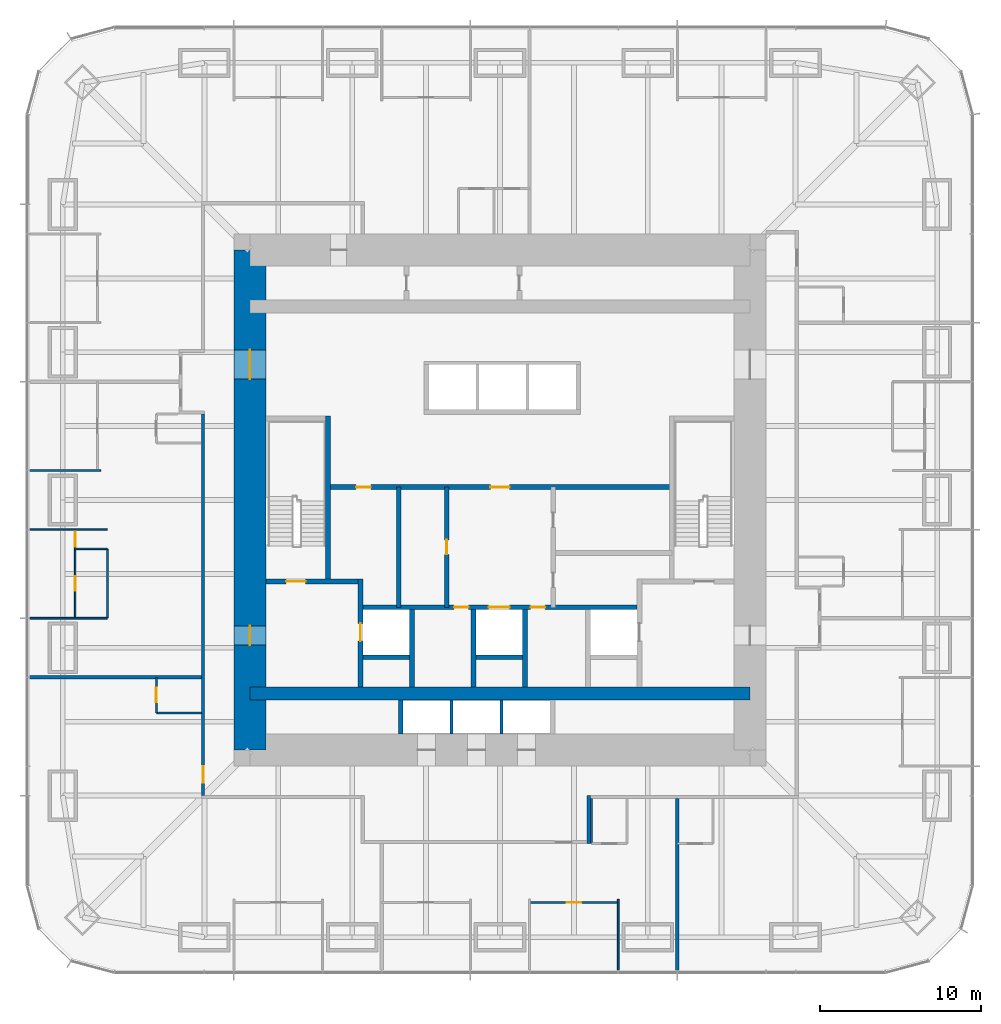
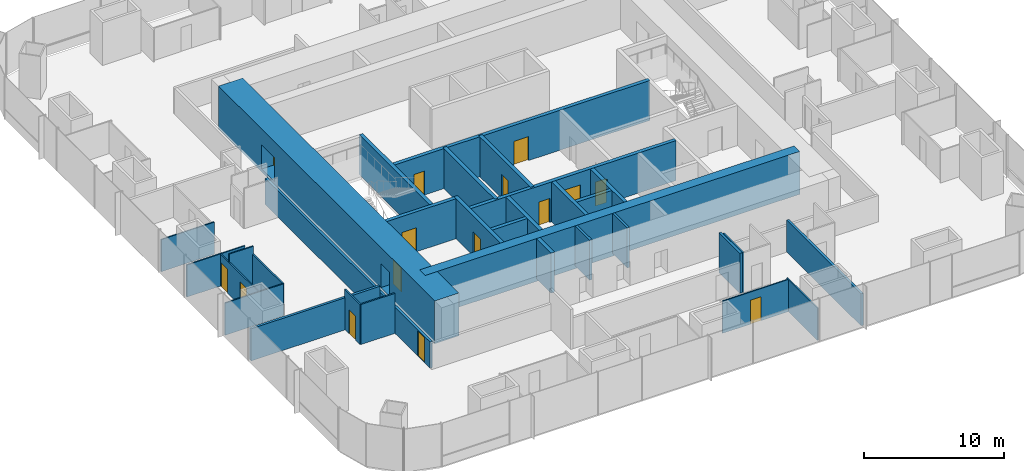
# One storey, part 9 of 13: 32 walls, 15 doors, 15 openings.
"""IFC4 building model written with IfcOpenShell, lengths in metres."""

import ifcopenshell
import ifcopenshell.guid

model = None  # the IFC model being written
_history = None  # IfcOwnerHistory: only IFC2X3 demands one
_inside = {}  # id of a spatial element -> (the spatial element, [elements in it])
_under = {}  # id of a project, library or spatial element -> (it, [spatial elements below it])
_declared = {}  # id of a project -> (the project, [libraries it declares])
_typed = {}  # id of a type object -> (the type object, [elements of that type])
_made_of = {}  # id of a material, layer set ... -> (it, [elements and type objects made of it])


def new_model(schema):
    """Start an empty IFC model of exactly this schema.

    Asked for "IFC4X3", IfcOpenShell would pick the latest addendum, in which some entities
    have other attributes; the version numbers below select the first issue.
    IFC2X3 requires an IfcOwnerHistory on every rooted entity: one is made here for all.
    """
    global model, _history
    if schema == "IFC4X3":
        model = ifcopenshell.file(schema_version=(4, 3, 0, 0))
    else:
        model = ifcopenshell.file(schema=schema)
    _inside.clear()
    _under.clear()
    _declared.clear()
    _typed.clear()
    _made_of.clear()
    _history = None
    if model.schema == "IFC2X3":
        org = make("IfcOrganization", Name="unknown")
        user = make(
            "IfcPersonAndOrganization",
            ThePerson=make("IfcPerson", FamilyName="unknown"),
            TheOrganization=org,
        )
        app = make(
            "IfcApplication",
            ApplicationDeveloper=org,
            Version="unknown",
            ApplicationFullName="unknown",
            ApplicationIdentifier="unknown",
        )
        _history = make(
            "IfcOwnerHistory",
            OwningUser=user,
            OwningApplication=app,
            ChangeAction="ADDED",
            CreationDate=0,
        )
    return model


def make(cls, **values):
    """One entity of the class cls with the attributes given. An attribute that is None is left unset."""
    return model.create_entity(
        cls, **{name: value for name, value in values.items() if value is not None}
    )


def rooted(cls, **values):
    """An entity with a GlobalId (a new one), such as an element, a storey or a relation."""
    return make(cls, GlobalId=ifcopenshell.guid.new(), OwnerHistory=_history, **values)


def si_unit(unit_type, name, prefix=None):
    """IfcSIUnit, for example si_unit("LENGTHUNIT", "METRE", prefix="MILLI")."""
    return make("IfcSIUnit", UnitType=unit_type, Prefix=prefix, Name=name)


def assignment(units):
    """IfcUnitAssignment: the units of a project."""
    return None if units is None else make("IfcUnitAssignment", Units=units)


def point(xyz):
    """IfcCartesianPoint."""
    return None if xyz is None else make("IfcCartesianPoint", Coordinates=xyz)


def direction(xyz):
    """IfcDirection."""
    return None if xyz is None else make("IfcDirection", DirectionRatios=xyz)


def frame(location, z_axis=None, x_axis=None):
    """IfcAxis2Placement3D, a coordinate frame: its origin and axes. An axis left out is left unset."""
    return make(
        "IfcAxis2Placement3D",
        Location=point(location),
        Axis=direction(z_axis),
        RefDirection=direction(x_axis),
    )


def frame_2d(location, x_axis=None):
    """IfcAxis2Placement2D, a coordinate frame in the plane: its origin and x axis."""
    return make(
        "IfcAxis2Placement2D", Location=point(location), RefDirection=direction(x_axis)
    )


def origin():
    """The frame at (0, 0, 0) with its axes left unset."""
    return frame((0.0, 0.0, 0.0))


def place(relative_to, where):
    """IfcLocalPlacement: puts the frame where relative to a parent placement (None: the world)."""
    return make(
        "IfcLocalPlacement", PlacementRelTo=relative_to, RelativePlacement=where
    )


def context(
    kind, dimensions, precision=None, world=None, true_north=None, identifier=None
):
    """IfcGeometricRepresentationContext, for example the 3D "Model" context."""
    return make(
        "IfcGeometricRepresentationContext",
        ContextIdentifier=identifier,
        ContextType=kind,
        CoordinateSpaceDimension=dimensions,
        Precision=precision,
        WorldCoordinateSystem=world,
        TrueNorth=true_north,
    )


def subcontext(parent, identifier, kind, view, scale=None):
    """IfcGeometricRepresentationSubContext, for example "Body" below "Model"."""
    return make(
        "IfcGeometricRepresentationSubContext",
        ContextIdentifier=identifier,
        ContextType=kind,
        ParentContext=parent,
        TargetScale=scale,
        TargetView=view,
    )


def project(units=None, contexts=None):
    """IfcProject with its units and contexts."""
    return rooted(
        "IfcProject",
        Name="project",
        RepresentationContexts=contexts,
        UnitsInContext=assignment(units),
    )


def spatial(cls, under=None, at=None, **own):
    """A site, building, storey or space (cls), placed at a placement, below another one or the project."""
    s = rooted(cls, ObjectPlacement=at, **own)
    if under is not None:
        _under.setdefault(under.id(), (under, []))[1].append(s)
    return s


def profile(cls, at=None, kind="AREA", **sizes):
    """A parametric profile (cls). Its sizes go by their IFC names, for example OverallWidth=200.0."""
    return make(cls, ProfileType=kind, Position=at, **sizes)


def rectangle(**sizes):
    """IfcRectangleProfileDef."""
    return profile("IfcRectangleProfileDef", **sizes)


def extrude(swept, where, along, depth):
    """IfcExtrudedAreaSolid: the profile swept, set in the frame where, extruded along a direction by depth."""
    return make(
        "IfcExtrudedAreaSolid",
        SweptArea=swept,
        Position=where,
        ExtrudedDirection=direction(along),
        Depth=depth,
    )


def shape(context_of_items, identifier, shape_type, items):
    """IfcShapeRepresentation: the items that make up one representation, for example the "Body"."""
    return make(
        "IfcShapeRepresentation",
        ContextOfItems=context_of_items,
        RepresentationIdentifier=identifier,
        RepresentationType=shape_type,
        Items=items,
    )


def material(Name=None, Category=None):
    """IfcMaterial."""
    return make("IfcMaterial", Name=Name, Category=Category)


def layer(
    of_material, thickness, ventilated=None, Name=None, Category=None, Priority=None
):
    """IfcMaterialLayer: one layer of a wall or slab, of a material (None: an air gap)."""
    return make(
        "IfcMaterialLayer",
        Material=of_material,
        LayerThickness=thickness,
        IsVentilated=ventilated,
        Name=Name,
        Category=Category,
        Priority=Priority,
    )


def layer_set(layers, Name=None):
    """IfcMaterialLayerSet."""
    return make("IfcMaterialLayerSet", MaterialLayers=layers, LayerSetName=Name)


def made_of(thing, what):
    """Note that an element or type object is made of a material, layer set ...; save() writes the relation."""
    if what is not None:
        _made_of.setdefault(what.id(), (what, []))[1].append(thing)
    return thing


def type_object(cls, material=None, **own):
    """A type object (cls), such as IfcWallType, which elements share."""
    return made_of(rooted(cls, **own), material)


def element(
    cls,
    number,
    at=None,
    inside=None,
    cuts=None,
    type_object=None,
    material=None,
    context=None,
    identifier="Body",
    shape_type=None,
    held_by="IfcProductDefinitionShape",
    body=None,
    shapes=None,
    **own,
):
    """One element of the class cls, such as IfcWall. Its Tag is "e" and its number.

    at: its placement. inside: the storey or other place that contains it. cuts: it is an
    opening in that element (IfcRelVoidsElement). A single representation is given by context,
    identifier, shape_type and body (its items); several are given by shapes. held_by: the class
    of the entity that holds the representations. save() writes the other relations.
    """
    e = rooted(cls, Tag="e%d" % number, ObjectPlacement=at, **own)
    if body is not None:
        shapes = [shape(context, identifier, shape_type, body)]
    if shapes is not None:
        e.Representation = make(held_by, Representations=shapes)
    if inside is not None:
        _inside.setdefault(inside.id(), (inside, []))[1].append(e)
    if cuts is not None:
        rooted(
            "IfcRelVoidsElement", RelatingBuildingElement=cuts, RelatedOpeningElement=e
        )
    if type_object is not None:
        _typed.setdefault(type_object.id(), (type_object, []))[1].append(e)
    return made_of(e, material)


def fill(opening, filler):
    """IfcRelFillsElement: the door or window that sits in an opening."""
    return rooted(
        "IfcRelFillsElement",
        RelatingOpeningElement=opening,
        RelatedBuildingElement=filler,
    )


def aggregate(whole, parts):
    """IfcRelAggregates: a whole, such as a stair, and the parts it consists of."""
    return rooted("IfcRelAggregates", RelatingObject=whole, RelatedObjects=parts)


def save(model, path):
    """Write the relations noted so far, then the file.

    IfcRelAggregates (storeys below a building ...), IfcRelContainedInSpatialStructure (elements
    in a storey), IfcRelDefinesByType, IfcRelAssociatesMaterial and IfcRelDeclares: one each for
    every whole, place, type object, material and project.
    """
    for whole, parts in _under.values():
        aggregate(whole, parts)
    for where, things in _inside.values():
        rooted(
            "IfcRelContainedInSpatialStructure",
            RelatedElements=things,
            RelatingStructure=where,
        )
    for kind, things in _typed.values():
        rooted("IfcRelDefinesByType", RelatedObjects=things, RelatingType=kind)
    for what, things in _made_of.values():
        rooted("IfcRelAssociatesMaterial", RelatedObjects=things, RelatingMaterial=what)
    for by, libraries in _declared.values():
        rooted("IfcRelDeclares", RelatingContext=by, RelatedDefinitions=libraries)
    model.write(path)


model = new_model("IFC4")

# Units and contexts
model_context = context("Model", 3, precision=1e-05, world=origin(), true_north=direction((0.0, 1.0)))
body_context = subcontext(model_context, "Body", "Model", "MODEL_VIEW")
ifc_project = project(units=[si_unit("LENGTHUNIT", "METRE"), si_unit("AREAUNIT", "SQUARE_METRE"), si_unit("VOLUMEUNIT", "CUBIC_METRE"), si_unit("PLANEANGLEUNIT", "RADIAN"), si_unit("MASSUNIT", "GRAM", prefix="KILO")], contexts=[model_context])

# Site, building, storey
site_placement = place(None, origin())
site = spatial("IfcSite", under=ifc_project, at=site_placement, CompositionType="ELEMENT")
building_placement = place(site_placement, origin())
building = spatial("IfcBuilding", under=site, at=building_placement, Name="Khuree Lantern Residences", CompositionType="ELEMENT")
storey_placement = place(building_placement, frame((0.0, 0.0, 114.75)))
storey = spatial("IfcBuildingStorey", under=building, at=storey_placement, Name="L28", CompositionType="ELEMENT", Elevation=114.75)

# Wall
ifc_material_1 = material(Name="Moisture-resistant gypsum board on steel studs", Category="steel")
ifc_layer_1 = layer(ifc_material_1, 0.125)
ifc_layer_set_1 = layer_set([ifc_layer_1], Name="BATHROOM WALL BTW125")
wall_type_1 = type_object("IfcWallType", Name="BATHROOM WALL BTW125", PredefinedType="PARTITIONING", material=ifc_layer_set_1)
wall_1_placement = place(storey_placement, frame((-24.329833984375, -3.031982421875, 0.0), z_axis=(0.0, 0.0, 1.0), x_axis=(0.0, -1.0, 0.0)))
element("IfcWall", 1, at=wall_1_placement, inside=storey, type_object=wall_type_1, Name="L28 BATHROOM WALL 04", PredefinedType="PARTITIONING", context=body_context, shape_type="SweptSolid", body=[
    extrude(rectangle(XDim=4.2958984375, YDim=0.125, at=frame_2d((2.14794921875, 0.0))), origin(), (0.0, 0.0, 1.0), 2.81005859375),
])

# Wall, opening, door
wall_2_placement = place(storey_placement, frame((-21.300048828125, -10.991943359375, 0.0), z_axis=(0.0, 0.0, 1.0), x_axis=(0.0, -1.0, 0.0)))
wall_2 = element("IfcWall", 2, at=wall_2_placement, inside=storey, type_object=wall_type_1, Name="L28 BATHROOM WALL 05", PredefinedType="PARTITIONING", context=body_context, shape_type="SweptSolid", body=[
    extrude(rectangle(XDim=2.199951171875, YDim=0.125, at=frame_2d((1.10009765625, 0.0))), origin(), (0.0, 0.0, 1.0), 3.5),
])
opening_1_placement = place(wall_2_placement, frame((0.64990234375, 0.0, 0.0)))
opening_1 = element("IfcOpeningElement", 3, at=opening_1_placement, cuts=wall_2, Name="Opening 28-043", PredefinedType="OPENING", context=body_context, shape_type="SweptSolid", body=[
    extrude(rectangle(XDim=0.89990234375, YDim=2.10009765625, at=frame_2d((0.449951171875, 1.050048828125))), frame((0.0, 0.072509765625, 0.0), z_axis=(0.0, -1.0, 0.0), x_axis=(1.0, 0.0, 0.0)), (0.0, 0.0, 1.0), 0.14501953125),
])
ifc_material_2 = material(Name="Timber door leaf in hardwood frame", Category="wood")
door_type_1 = type_object("IfcDoorType", Name="BATHROOM DOOR 900X2100", OperationType="SINGLE_SWING_LEFT", PredefinedType="DOOR", material=ifc_material_2)
door_1_placement = place(opening_1_placement, origin())
door_1 = element("IfcDoor", 4, at=door_1_placement, inside=storey, type_object=door_type_1, Name="Bathroom door 28-043", OperationType="SINGLE_SWING_LEFT", OverallHeight=2.10009765625, OverallWidth=0.89990234375, PredefinedType="DOOR", context=body_context, shape_type="SweptSolid", body=[
    extrude(rectangle(XDim=0.89990234375, YDim=2.10009765625, at=frame_2d((0.449951171875, 1.050048828125))), frame((0.0, 0.02490234375, 0.0), z_axis=(0.0, -1.0, 0.0), x_axis=(1.0, 0.0, 0.0)), (0.0, 0.0, 1.0), 0.050048828125),
])
fill(opening_1, door_1)

# Walls
for number, where, z_axis, x_axis, name in (
    (5, (-18.5, -13.19189453125, 0.0), (0.0, 0.0, 1.0), (-1.0, 0.0, 0.0), "L28 BATHROOM WALL 05"),
    (6, (5.68359375, -18.5, 0.0), (0.0, 0.0, 1.0), (0.0, -1.0, 0.0), "L28 BATHROOM WALL 06"),
):
    element("IfcWall", number, at=place(storey_placement, frame(where, z_axis=z_axis, x_axis=x_axis)), inside=storey, type_object=wall_type_1, Name=name, PredefinedType="PARTITIONING", context=body_context, shape_type="SweptSolid", body=[
        extrude(rectangle(XDim=2.800048828125, YDim=0.125, at=frame_2d((1.39990234375, 0.0))), origin(), (0.0, 0.0, 1.0), 3.5),
    ])

# Wall, opening, door
ifc_material_3 = material(Name="Dense concrete blockwork", Category="masonry")
ifc_layer_2 = layer(ifc_material_3, 0.300048828125)
ifc_layer_set_2 = layer_set([ifc_layer_2], Name="CORE PARTITION WALL CPW300 EI 120")
wall_type_2 = type_object("IfcWallType", Name="CORE PARTITION WALL CPW300 EI 120", PredefinedType="PARTITIONING", material=ifc_layer_set_2)
wall_3_placement = place(storey_placement, frame((-8.64990234375, -11.60009765625, 0.0), z_axis=(0.0, 0.0, 1.0), x_axis=(0.0, 1.0, 0.0)))
wall_3 = element("IfcWall", 7, at=wall_3_placement, inside=storey, type_object=wall_type_2, Name="L28 CORE WALL FL1W", PredefinedType="PARTITIONING", context=body_context, shape_type="SweptSolid", body=[
    extrude(rectangle(XDim=6.7001953125, YDim=0.300048828125, at=frame_2d((3.35009765625, 0.0))), origin(), (0.0, 0.0, 1.0), 3.5),
])
opening_2_placement = place(wall_3_placement, frame((2.85009765625, 0.0, 0.0)))
opening_2 = element("IfcOpeningElement", 8, at=opening_2_placement, cuts=wall_3, Name="Opening 28-007", PredefinedType="OPENING", context=body_context, shape_type="SweptSolid", body=[
    extrude(rectangle(XDim=1.10009765625, YDim=2.10009765625, at=frame_2d((0.550048828125, 1.050048828125))), frame((0.0, 0.16015625, 0.0), z_axis=(0.0, -1.0, 0.0), x_axis=(1.0, 0.0, 0.0)), (0.0, 0.0, 1.0), 0.320068359375),
])
ifc_material_4 = material(Name="Stainless steel lift landing door", Category="steel")
door_type_2 = type_object("IfcDoorType", Name="LIFT LANDING DOOR 1100X2100 E 120", OperationType="DOUBLE_DOOR_SLIDING", PredefinedType="DOOR", material=ifc_material_4)
door_2_placement = place(opening_2_placement, origin())
door_2 = element("IfcDoor", 9, at=door_2_placement, inside=storey, type_object=door_type_2, Name="Landing door FL1 28-007", OperationType="DOUBLE_DOOR_SLIDING", OverallHeight=2.10009765625, OverallWidth=1.10009765625, PredefinedType="DOOR", context=body_context, shape_type="SweptSolid", body=[
    extrude(rectangle(XDim=1.10009765625, YDim=2.10009765625, at=frame_2d((0.550048828125, 1.050048828125))), frame((0.0, 0.02490234375, 0.0), z_axis=(0.0, -1.0, 0.0), x_axis=(1.0, 0.0, 0.0)), (0.0, 0.0, 1.0), 0.050048828125),
])
fill(opening_2, door_2)

# Wall, openings, doors
wall_4_placement = place(storey_placement, frame((-8.5, -6.64990234375, 0.0), z_axis=(0.0, 0.0, 1.0), x_axis=(1.0, 0.0, 0.0)))
wall_4 = element("IfcWall", 10, at=wall_4_placement, inside=storey, type_object=wall_type_2, Name="L28 CORE WALL FLROW", PredefinedType="PARTITIONING", context=body_context, shape_type="SweptSolid", body=[
    extrude(rectangle(XDim=17.0, YDim=0.300048828125, at=frame_2d((8.5, 0.0))), origin(), (0.0, 0.0, 1.0), 3.5),
])
opening_3_placement = place(wall_4_placement, frame((7.800048828125, 0.0, 0.0)))
opening_3 = element("IfcOpeningElement", 11, at=opening_3_placement, cuts=wall_4, Name="Opening 28-012", PredefinedType="OPENING", context=body_context, shape_type="SweptSolid", body=[
    extrude(rectangle(XDim=1.300048828125, YDim=2.39990234375, at=frame_2d((0.64990234375, 1.199951171875))), frame((0.0, 0.16015625, 0.0), z_axis=(0.0, -1.0, 0.0), x_axis=(1.0, 0.0, 0.0)), (0.0, 0.0, 1.0), 0.320068359375),
])
opening_4_placement = place(wall_4_placement, frame((5.64990234375, 0.0, 0.0)))
opening_4 = element("IfcOpeningElement", 12, at=opening_4_placement, cuts=wall_4, Name="Opening 28-014", PredefinedType="OPENING", context=body_context, shape_type="SweptSolid", body=[
    extrude(rectangle(XDim=0.89990234375, YDim=2.10009765625, at=frame_2d((0.449951171875, 1.050048828125))), frame((0.0, 0.16015625, 0.0), z_axis=(0.0, -1.0, 0.0), x_axis=(1.0, 0.0, 0.0)), (0.0, 0.0, 1.0), 0.320068359375),
])
opening_5_placement = place(wall_4_placement, frame((10.39990234375, 0.0, 0.0)))
opening_5 = element("IfcOpeningElement", 13, at=opening_5_placement, cuts=wall_4, Name="Opening 28-015", PredefinedType="OPENING", context=body_context, shape_type="SweptSolid", body=[
    extrude(rectangle(XDim=0.89990234375, YDim=2.10009765625, at=frame_2d((0.449951171875, 1.050048828125))), frame((0.0, 0.16015625, 0.0), z_axis=(0.0, -1.0, 0.0), x_axis=(1.0, 0.0, 0.0)), (0.0, 0.0, 1.0), 0.320068359375),
])
ifc_material_5 = material(Name="Steel door leaf in steel frame", Category="steel")
door_type_3 = type_object("IfcDoorType", Name="DOOR 900X2100 EI 60", OperationType="SINGLE_SWING_LEFT", PredefinedType="DOOR", material=ifc_material_5)
door_3_placement = place(opening_4_placement, origin())
door_3 = element("IfcDoor", 14, at=door_3_placement, inside=storey, type_object=door_type_3, Name="Refuse chute room door 28-014", OperationType="SINGLE_SWING_LEFT", OverallHeight=2.10009765625, OverallWidth=0.89990234375, PredefinedType="DOOR", context=body_context, shape_type="SweptSolid", body=[
    extrude(rectangle(XDim=0.89990234375, YDim=2.10009765625, at=frame_2d((0.449951171875, 1.050048828125))), frame((0.0, 0.02490234375, 0.0), z_axis=(0.0, -1.0, 0.0), x_axis=(1.0, 0.0, 0.0)), (0.0, 0.0, 1.0), 0.050048828125),
])
fill(opening_4, door_3)
door_type_4 = type_object("IfcDoorType", Name="DOOR 900X2100 EI 60 RIGHT HAND", OperationType="SINGLE_SWING_RIGHT", PredefinedType="DOOR", material=ifc_material_5)
door_4_placement = place(opening_5_placement, origin())
door_4 = element("IfcDoor", 15, at=door_4_placement, inside=storey, type_object=door_type_4, Name="Electrical and plumbing riser door 28-015", OperationType="SINGLE_SWING_RIGHT", OverallHeight=2.10009765625, OverallWidth=0.89990234375, PredefinedType="DOOR", context=body_context, shape_type="SweptSolid", body=[
    extrude(rectangle(XDim=0.89990234375, YDim=2.10009765625, at=frame_2d((0.449951171875, 1.050048828125))), frame((0.0, 0.02490234375, 0.0), z_axis=(0.0, -1.0, 0.0), x_axis=(1.0, 0.0, 0.0)), (0.0, 0.0, 1.0), 0.050048828125),
])
fill(opening_5, door_4)
door_type_5 = type_object("IfcDoorType", Name="LIFT LANDING DOOR 1300X2400 E 60", OperationType="DOUBLE_DOOR_SLIDING", PredefinedType="DOOR", material=ifc_material_4)
door_5_placement = place(opening_3_placement, origin())
door_5 = element("IfcDoor", 16, at=door_5_placement, inside=storey, type_object=door_type_5, Name="Landing door SL1 28-012", OperationType="DOUBLE_DOOR_SLIDING", OverallHeight=2.39990234375, OverallWidth=1.300048828125, PredefinedType="DOOR", context=body_context, shape_type="SweptSolid", body=[
    extrude(rectangle(XDim=1.300048828125, YDim=2.39990234375, at=frame_2d((0.64990234375, 1.199951171875))), frame((0.0, 0.02490234375, 0.0), z_axis=(0.0, -1.0, 0.0), x_axis=(1.0, 0.0, 0.0)), (0.0, 0.0, 1.0), 0.050048828125),
])
fill(opening_3, door_5)

# Walls
for number, where, z_axis, x_axis, name in (
    (17, (-5.449951171875, -11.60009765625, 0.0), (0.0, 0.0, 1.0), (0.0, 1.0, 0.0), "L28 CORE WALL FL1E"),
    (18, (-1.64990234375, -11.60009765625, 0.0), (0.0, 0.0, 1.0), (0.0, 1.0, 0.0), "L28 CORE WALL SL1W"),
    (19, (1.550048828125, -11.60009765625, 0.0), (0.0, 0.0, 1.0), (0.0, 1.0, 0.0), "L28 CORE WALL SL1E"),
):
    element("IfcWall", number, at=place(storey_placement, frame(where, z_axis=z_axis, x_axis=x_axis)), inside=storey, type_object=wall_type_2, Name=name, PredefinedType="PARTITIONING", context=body_context, shape_type="SweptSolid", body=[
        extrude(rectangle(XDim=4.800048828125, YDim=0.300048828125, at=frame_2d((2.39990234375, 0.0))), origin(), (0.0, 0.0, 1.0), 3.5),
    ])
for number, where, z_axis, x_axis, name in (
    (20, (-8.5, -9.75, 0.0), (0.0, 0.0, 1.0), (1.0, 0.0, 0.0), "L28 CORE WALL FL1S"),
    (21, (-1.5, -9.75, 0.0), (0.0, 0.0, 1.0), (1.0, 0.0, 0.0), "L28 CORE WALL SL1S"),
):
    element("IfcWall", number, at=place(storey_placement, frame(where, z_axis=z_axis, x_axis=x_axis)), inside=storey, type_object=wall_type_2, Name=name, PredefinedType="PARTITIONING", context=body_context, shape_type="SweptSolid", body=[
        extrude(rectangle(XDim=2.89990234375, YDim=0.300048828125, at=frame_2d((1.449951171875, 0.0))), origin(), (0.0, 0.0, 1.0), 3.5),
    ])
wall_5_placement = place(storey_placement, frame((-6.14990234375, -14.5, 0.0), z_axis=(0.0, 0.0, 1.0), x_axis=(0.0, 1.0, 0.0)))
element("IfcWall", 22, at=wall_5_placement, inside=storey, type_object=wall_type_2, Name="L28 CORE WALL PMW", PredefinedType="PARTITIONING", context=body_context, shape_type="SweptSolid", body=[
    extrude(rectangle(XDim=2.10009765625, YDim=0.300048828125, at=frame_2d((1.050048828125, 0.0))), origin(), (0.0, 0.0, 1.0), 3.5),
])

# Wall, openings, doors
wall_6_placement = place(storey_placement, frame((-10.64990234375, 0.800048828125, 0.0), z_axis=(0.0, 0.0, 1.0), x_axis=(1.0, 0.0, 0.0)))
wall_6 = element("IfcWall", 23, at=wall_6_placement, inside=storey, type_object=wall_type_2, Name="L28 CORE WALL LLS", PredefinedType="PARTITIONING", context=body_context, shape_type="SweptSolid", body=[
    extrude(rectangle(XDim=21.2998046875, YDim=0.300048828125, at=frame_2d((10.64990234375, 0.0))), origin(), (0.0, 0.0, 1.0), 3.5),
])
opening_6_placement = place(wall_6_placement, frame((10.050048828125, 0.0, 0.0)))
opening_6 = element("IfcOpeningElement", 24, at=opening_6_placement, cuts=wall_6, Name="Opening 28-013", PredefinedType="OPENING", context=body_context, shape_type="SweptSolid", body=[
    extrude(rectangle(XDim=1.199951171875, YDim=2.10009765625, at=frame_2d((0.60009765625, 1.050048828125))), frame((0.0, 0.16015625, 0.0), z_axis=(0.0, -1.0, 0.0), x_axis=(1.0, 0.0, 0.0)), (0.0, 0.0, 1.0), 0.320068359375),
])
opening_7_placement = place(wall_6_placement, frame((1.739990234375, 0.0, 0.0)))
opening_7 = element("IfcOpeningElement", 25, at=opening_7_placement, cuts=wall_6, Name="Opening 28-017", PredefinedType="OPENING", context=body_context, shape_type="SweptSolid", body=[
    extrude(rectangle(XDim=0.89990234375, YDim=2.10009765625, at=frame_2d((0.449951171875, 1.050048828125))), frame((0.0, 0.16015625, 0.0), z_axis=(0.0, -1.0, 0.0), x_axis=(1.0, 0.0, 0.0)), (0.0, 0.0, 1.0), 0.320068359375),
])
door_type_6 = type_object("IfcDoorType", Name="DOOR 1200X2100 EI 60", OperationType="SINGLE_SWING_LEFT", PredefinedType="DOOR", material=ifc_material_5)
door_6_placement = place(opening_6_placement, origin())
door_6 = element("IfcDoor", 26, at=door_6_placement, inside=storey, type_object=door_type_6, Name="Service lift lobby door 28-013", OperationType="SINGLE_SWING_LEFT", OverallHeight=2.10009765625, OverallWidth=1.199951171875, PredefinedType="DOOR", context=body_context, shape_type="SweptSolid", body=[
    extrude(rectangle(XDim=1.199951171875, YDim=2.10009765625, at=frame_2d((0.60009765625, 1.050048828125))), frame((0.0, 0.02490234375, 0.0), z_axis=(0.0, -1.0, 0.0), x_axis=(1.0, 0.0, 0.0)), (0.0, 0.0, 1.0), 0.050048828125),
])
fill(opening_6, door_6)
door_type_7 = type_object("IfcDoorType", Name="DOOR 900X2100", OperationType="SINGLE_SWING_LEFT", PredefinedType="DOOR", material=ifc_material_2)
door_7_placement = place(opening_7_placement, origin())
door_7 = element("IfcDoor", 27, at=door_7_placement, inside=storey, type_object=door_type_7, Name="Residents' store door 28-017", OperationType="SINGLE_SWING_LEFT", OverallHeight=2.10009765625, OverallWidth=0.89990234375, PredefinedType="DOOR", context=body_context, shape_type="SweptSolid", body=[
    extrude(rectangle(XDim=0.89990234375, YDim=2.10009765625, at=frame_2d((0.449951171875, 1.050048828125))), frame((0.0, 0.02490234375, 0.0), z_axis=(0.0, -1.0, 0.0), x_axis=(1.0, 0.0, 0.0)), (0.0, 0.0, 1.0), 0.050048828125),
])
fill(opening_7, door_7)

# Wall, opening, door
wall_7_placement = place(storey_placement, frame((-3.300048828125, -6.64990234375, 0.0), z_axis=(0.0, 0.0, 1.0), x_axis=(0.0, 1.0, 0.0)))
wall_7 = element("IfcWall", 28, at=wall_7_placement, inside=storey, type_object=wall_type_2, Name="L28 CORE WALL SVW", PredefinedType="PARTITIONING", context=body_context, shape_type="SweptSolid", body=[
    extrude(rectangle(XDim=7.449951171875, YDim=0.300048828125, at=frame_2d((3.72509765625, 0.0))), origin(), (0.0, 0.0, 1.0), 3.5),
])
opening_8_placement = place(wall_7_placement, frame((3.27490234375, 0.0, 0.0)))
opening_8 = element("IfcOpeningElement", 29, at=opening_8_placement, cuts=wall_7, Name="Opening 28-016", PredefinedType="OPENING", context=body_context, shape_type="SweptSolid", body=[
    extrude(rectangle(XDim=0.89990234375, YDim=2.10009765625, at=frame_2d((0.449951171875, 1.050048828125))), frame((0.0, 0.16015625, 0.0), z_axis=(0.0, -1.0, 0.0), x_axis=(1.0, 0.0, 0.0)), (0.0, 0.0, 1.0), 0.320068359375),
])
door_8_placement = place(opening_8_placement, origin())
door_8 = element("IfcDoor", 30, at=door_8_placement, inside=storey, type_object=door_type_7, Name="Parcel room door 28-016", OperationType="SINGLE_SWING_LEFT", OverallHeight=2.10009765625, OverallWidth=0.89990234375, PredefinedType="DOOR", context=body_context, shape_type="SweptSolid", body=[
    extrude(rectangle(XDim=0.89990234375, YDim=2.10009765625, at=frame_2d((0.449951171875, 1.050048828125))), frame((0.0, 0.02490234375, 0.0), z_axis=(0.0, -1.0, 0.0), x_axis=(1.0, 0.0, 0.0)), (0.0, 0.0, 1.0), 0.050048828125),
])
fill(opening_8, door_8)

# Wall
wall_8_placement = place(storey_placement, frame((-6.27001953125, -6.64990234375, 0.0), z_axis=(0.0, 0.0, 1.0), x_axis=(0.0, 1.0, 0.0)))
element("IfcWall", 31, at=wall_8_placement, inside=storey, type_object=wall_type_2, Name="L28 CORE WALL WV", PredefinedType="PARTITIONING", context=body_context, shape_type="SweptSolid", body=[
    extrude(rectangle(XDim=7.449951171875, YDim=0.300048828125, at=frame_2d((3.72509765625, 0.0))), origin(), (0.0, 0.0, 1.0), 3.5),
])

# Wall, opening, door
ifc_material_6 = material(Name="Gypsum board on steel studs", Category="steel")
ifc_layer_3 = layer(ifc_material_6, 0.199951171875)
ifc_layer_set_3 = layer_set([ifc_layer_3], Name="CORRIDOR WALL CRW200 EI 60")
wall_type_3 = type_object("IfcWallType", Name="CORRIDOR WALL CRW200 EI 60", PredefinedType="PARTITIONING", material=ifc_layer_set_3)
wall_9_placement = place(storey_placement, frame((-18.39990234375, 5.327880859375, 0.0), z_axis=(0.0, 0.0, 1.0), x_axis=(0.0, -1.0, 0.0)))
wall_9 = element("IfcWall", 32, at=wall_9_placement, inside=storey, type_object=wall_type_3, Name="L28 CORRIDOR WALL WEST 2", PredefinedType="PARTITIONING", context=body_context, shape_type="SweptSolid", body=[
    extrude(rectangle(XDim=23.6279296875, YDim=0.199951171875, at=frame_2d((11.81396484375, 0.0))), origin(), (0.0, 0.0, 1.0), 2.300048828125),
])
opening_9_placement = place(wall_9_placement, frame((21.840087890625, 0.0, 0.0)))
opening_9 = element("IfcOpeningElement", 33, at=opening_9_placement, cuts=wall_9, Name="Opening 28-044", PredefinedType="OPENING", context=body_context, shape_type="SweptSolid", body=[
    extrude(rectangle(XDim=1.0, YDim=2.199951171875, at=frame_2d((0.5, 1.10009765625))), frame((0.0, 0.10986328125, 0.0), z_axis=(0.0, -1.0, 0.0), x_axis=(1.0, 0.0, 0.0)), (0.0, 0.0, 1.0), 0.219970703125),
])
door_type_8 = type_object("IfcDoorType", Name="APARTMENT ENTRANCE DOOR 1000X2200 EI 30S RIGHT HAND", OperationType="SINGLE_SWING_RIGHT", PredefinedType="DOOR", material=ifc_material_2)
door_9_placement = place(opening_9_placement, origin())
door_9 = element("IfcDoor", 34, at=door_9_placement, inside=storey, type_object=door_type_8, Name="Apartment 05 entrance door 28-044", OperationType="SINGLE_SWING_RIGHT", OverallHeight=2.199951171875, OverallWidth=1.0, PredefinedType="DOOR", context=body_context, shape_type="SweptSolid", body=[
    extrude(rectangle(XDim=1.0, YDim=2.199951171875, at=frame_2d((0.5, 1.10009765625))), frame((0.0, 0.02490234375, 0.0), z_axis=(0.0, -1.0, 0.0), x_axis=(1.0, 0.0, 0.0)), (0.0, 0.0, 1.0), 0.050048828125),
])
fill(opening_9, door_9)

# Wall
wall_10_placement = place(storey_placement, frame((5.5, -18.300048828125, 0.0), z_axis=(0.0, 0.0, 1.0), x_axis=(0.0, -1.0, 0.0)))
element("IfcWall", 35, at=wall_10_placement, inside=storey, type_object=wall_type_3, Name="L28 LIFT LOBBY WALL", PredefinedType="PARTITIONING", context=body_context, shape_type="SweptSolid", body=[
    extrude(rectangle(XDim=3.0, YDim=0.199951171875, at=frame_2d((1.5, 0.0))), origin(), (0.0, 0.0, 1.0), 3.5),
])

# Wall, openings, doors
ifc_material_7 = material(Name="Concrete C70/85", Category="concrete")
ifc_layer_4 = layer(ifc_material_7, 2.0)
ifc_layer_set_4 = layer_set([ifc_layer_4], Name="CW2000-C70 CORE WALL C70 2000")
wall_type_4 = type_object("IfcWallType", Name="CW2000-C70 CORE WALL C70 2000", PredefinedType="SHEAR", material=ifc_layer_set_4)
wall_11_placement = place(storey_placement, frame((-15.5, -15.5, -0.25), z_axis=(0.0, 0.0, 1.0), x_axis=(0.0, 1.0, 0.0)))
wall_11 = element("IfcWall", 36, at=wall_11_placement, inside=storey, type_object=wall_type_4, Name="Core wall W", PredefinedType="SHEAR", context=body_context, shape_type="SweptSolid", body=[
    extrude(rectangle(XDim=31.0, YDim=2.0, at=frame_2d((15.5, 0.0))), origin(), (0.0, 0.0, 1.0), 3.75),
])
opening_10_placement = place(wall_11_placement, frame((6.5, 0.0, 0.25)))
opening_10 = element("IfcOpeningElement", 37, at=opening_10_placement, cuts=wall_11, Name="Opening 28-002", PredefinedType="OPENING", context=body_context, shape_type="SweptSolid", body=[
    extrude(rectangle(XDim=1.199951171875, YDim=2.10009765625, at=frame_2d((0.60009765625, 1.050048828125))), frame((0.0, 1.010009765625, 0.0), z_axis=(0.0, -1.0, 0.0), x_axis=(1.0, 0.0, 0.0)), (0.0, 0.0, 1.0), 2.02001953125),
])
opening_11_placement = place(wall_11_placement, frame((23.0, 0.0, 0.25)))
opening_11 = element("IfcOpeningElement", 38, at=opening_11_placement, cuts=wall_11, Name="Opening 28-003", PredefinedType="OPENING", context=body_context, shape_type="SweptSolid", body=[
    extrude(rectangle(XDim=1.800048828125, YDim=2.10009765625, at=frame_2d((0.89990234375, 1.050048828125))), frame((0.0, 1.010009765625, 0.0), z_axis=(0.0, -1.0, 0.0), x_axis=(1.0, 0.0, 0.0)), (0.0, 0.0, 1.0), 2.02001953125),
])
door_type_9 = type_object("IfcDoorType", Name="LOBBY DOOR 1200X2100 EI 120", OperationType="SINGLE_SWING_LEFT", PredefinedType="DOOR", material=ifc_material_5)
door_10_placement = place(opening_10_placement, origin())
door_10 = element("IfcDoor", 39, at=door_10_placement, inside=storey, type_object=door_type_9, Name="Firefighting lobby door 28-002", OperationType="SINGLE_SWING_LEFT", OverallHeight=2.10009765625, OverallWidth=1.199951171875, PredefinedType="DOOR", context=body_context, shape_type="SweptSolid", body=[
    extrude(rectangle(XDim=1.199951171875, YDim=2.10009765625, at=frame_2d((0.60009765625, 1.050048828125))), frame((0.0, 0.02490234375, 0.0), z_axis=(0.0, -1.0, 0.0), x_axis=(1.0, 0.0, 0.0)), (0.0, 0.0, 1.0), 0.050048828125),
])
fill(opening_10, door_10)
door_type_10 = type_object("IfcDoorType", Name="LOBBY DOUBLE DOOR 1800X2100 EI 60", OperationType="DOUBLE_DOOR_SINGLE_SWING", PredefinedType="DOOR", material=ifc_material_5)
door_11_placement = place(opening_11_placement, origin())
door_11 = element("IfcDoor", 40, at=door_11_placement, inside=storey, type_object=door_type_10, Name="Lift lobby door 28-003", OperationType="DOUBLE_DOOR_SINGLE_SWING", OverallHeight=2.10009765625, OverallWidth=1.800048828125, PredefinedType="DOOR", context=body_context, shape_type="SweptSolid", body=[
    extrude(rectangle(XDim=1.800048828125, YDim=2.10009765625, at=frame_2d((0.89990234375, 1.050048828125))), frame((0.0, 0.02490234375, 0.0), z_axis=(0.0, -1.0, 0.0), x_axis=(1.0, 0.0, 0.0)), (0.0, 0.0, 1.0), 0.050048828125),
])
fill(opening_11, door_11)

# Walls
ifc_layer_5 = layer(ifc_material_6, 0.199951171875)
ifc_layer_set_5 = layer_set([ifc_layer_5], Name="DEMISING WALL DMW200 EI 90")
wall_type_5 = type_object("IfcWallType", Name="DEMISING WALL DMW200 EI 90", PredefinedType="PARTITIONING", material=ifc_layer_set_5)
for number, where, z_axis, x_axis, name in (
    (41, (-18.5, -10.991943359375, 0.0), (0.0, 0.0, 1.0), (-1.0, 0.0, 0.0), "L28 DEMISING WALL 05"),
    (42, (10.991943359375, -18.5, 0.0), (0.0, 0.0, 1.0), (0.0, -1.0, 0.0), "L28 DEMISING WALL 07"),
):
    element("IfcWall", number, at=place(storey_placement, frame(where, z_axis=z_axis, x_axis=x_axis)), inside=storey, type_object=wall_type_5, Name=name, PredefinedType="PARTITIONING", context=body_context, shape_type="SweptSolid", body=[
        extrude(rectangle(XDim=10.64990234375, YDim=0.199951171875, at=frame_2d((5.324951171875, 0.0))), origin(), (0.0, 0.0, 1.0), 2.81005859375),
    ])
ifc_layer_6 = layer(ifc_material_6, 0.10009765625)
ifc_layer_set_6 = layer_set([ifc_layer_6], Name="PARTITION PT100")
wall_type_6 = type_object("IfcWallType", Name="PARTITION PT100", PredefinedType="PARTITIONING", material=ifc_layer_set_6)
wall_12_placement = place(storey_placement, frame((-24.75, 1.83203125, 0.0), z_axis=(0.0, 0.0, 1.0), x_axis=(-1.0, 0.0, 0.0)))
element("IfcWall", 43, at=wall_12_placement, inside=storey, type_object=wall_type_6, Name="L28 PARTITION 04", PredefinedType="PARTITIONING", context=body_context, shape_type="SweptSolid", body=[
    extrude(rectangle(XDim=4.39990234375, YDim=0.10009765625, at=frame_2d((2.199951171875, 0.0))), origin(), (0.0, 0.0, 1.0), 2.81005859375),
])
for number, where, z_axis, x_axis, name in (
    (44, (-24.329833984375, -1.83203125, 0.0), (0.0, 0.0, 1.0), (-1.0, 0.0, 0.0), "L28 PARTITION 04"),
    (45, (-24.329833984375, -7.327880859375, 0.0), (0.0, 0.0, 1.0), (-1.0, 0.0, 0.0), "L28 PARTITION 04"),
):
    element("IfcWall", number, at=place(storey_placement, frame(where, z_axis=z_axis, x_axis=x_axis)), inside=storey, type_object=wall_type_6, Name=name, PredefinedType="PARTITIONING", context=body_context, shape_type="SweptSolid", body=[
        extrude(rectangle(XDim=4.820068359375, YDim=0.10009765625, at=frame_2d((2.41015625, 0.0))), origin(), (0.0, 0.0, 1.0), 2.81005859375),
    ])
wall_13_placement = place(storey_placement, frame((7.327880859375, -24.75, 0.0), z_axis=(0.0, 0.0, 1.0), x_axis=(0.0, -1.0, 0.0)))
element("IfcWall", 46, at=wall_13_placement, inside=storey, type_object=wall_type_6, Name="L28 PARTITION 06", PredefinedType="PARTITIONING", context=body_context, shape_type="SweptSolid", body=[
    extrude(rectangle(XDim=4.39990234375, YDim=0.10009765625, at=frame_2d((2.199951171875, 0.0))), origin(), (0.0, 0.0, 1.0), 2.81005859375),
])

# Wall, openings, doors
wall_14_placement = place(storey_placement, frame((-26.329833984375, -1.83203125, 0.0), z_axis=(0.0, 0.0, 1.0), x_axis=(0.0, -1.0, 0.0)))
wall_14 = element("IfcWall", 47, at=wall_14_placement, inside=storey, type_object=wall_type_6, Name="L28 PARTITION 04", PredefinedType="PARTITIONING", context=body_context, shape_type="SweptSolid", body=[
    extrude(rectangle(XDim=5.495849609375, YDim=0.10009765625, at=frame_2d((2.748046875, 0.0))), origin(), (0.0, 0.0, 1.0), 2.81005859375),
])
opening_12_placement = place(wall_14_placement, frame((0.14990234375, 0.0, 0.0)))
opening_12 = element("IfcOpeningElement", 48, at=opening_12_placement, cuts=wall_14, Name="Opening 28-038", PredefinedType="OPENING", context=body_context, shape_type="SweptSolid", body=[
    extrude(rectangle(XDim=0.89990234375, YDim=2.10009765625, at=frame_2d((0.449951171875, 1.050048828125))), frame((0.0, 0.06005859375, 0.0), z_axis=(0.0, -1.0, 0.0), x_axis=(1.0, 0.0, 0.0)), (0.0, 0.0, 1.0), 0.1201171875),
])
opening_13_placement = place(wall_14_placement, frame((2.89794921875, 0.0, 0.0)))
opening_13 = element("IfcOpeningElement", 49, at=opening_13_placement, cuts=wall_14, Name="Opening 28-039", PredefinedType="OPENING", context=body_context, shape_type="SweptSolid", body=[
    extrude(rectangle(XDim=0.89990234375, YDim=2.10009765625, at=frame_2d((0.449951171875, 1.050048828125))), frame((0.0, 0.06005859375, 0.0), z_axis=(0.0, -1.0, 0.0), x_axis=(1.0, 0.0, 0.0)), (0.0, 0.0, 1.0), 0.1201171875),
])
door_12_placement = place(opening_13_placement, origin())
door_12 = element("IfcDoor", 50, at=door_12_placement, inside=storey, type_object=door_type_1, Name="Bathroom door 28-039", OperationType="SINGLE_SWING_LEFT", OverallHeight=2.10009765625, OverallWidth=0.89990234375, PredefinedType="DOOR", context=body_context, shape_type="SweptSolid", body=[
    extrude(rectangle(XDim=0.89990234375, YDim=2.10009765625, at=frame_2d((0.449951171875, 1.050048828125))), frame((0.0, 0.02490234375, 0.0), z_axis=(0.0, -1.0, 0.0), x_axis=(1.0, 0.0, 0.0)), (0.0, 0.0, 1.0), 0.050048828125),
])
fill(opening_13, door_12)
door_type_11 = type_object("IfcDoorType", Name="BEDROOM DOOR 900X2100", OperationType="SINGLE_SWING_LEFT", PredefinedType="DOOR", material=ifc_material_2)
door_13_placement = place(opening_12_placement, origin())
door_13 = element("IfcDoor", 51, at=door_13_placement, inside=storey, type_object=door_type_11, Name="Bedroom door 28-038", OperationType="SINGLE_SWING_LEFT", OverallHeight=2.10009765625, OverallWidth=0.89990234375, PredefinedType="DOOR", context=body_context, shape_type="SweptSolid", body=[
    extrude(rectangle(XDim=0.89990234375, YDim=2.10009765625, at=frame_2d((0.449951171875, 1.050048828125))), frame((0.0, 0.02490234375, 0.0), z_axis=(0.0, -1.0, 0.0), x_axis=(1.0, 0.0, 0.0)), (0.0, 0.0, 1.0), 0.050048828125),
])
fill(opening_12, door_13)

# Wall
wall_15_placement = place(storey_placement, frame((-24.329833984375, -3.031982421875, 0.0), z_axis=(0.0, 0.0, 1.0), x_axis=(-1.0, 0.0, 0.0)))
element("IfcWall", 52, at=wall_15_placement, inside=storey, type_object=wall_type_6, Name="L28 PARTITION 04", PredefinedType="PARTITIONING", context=body_context, shape_type="SweptSolid", body=[
    extrude(rectangle(XDim=2.0, YDim=0.10009765625, at=frame_2d((1.0, 0.0))), origin(), (0.0, 0.0, 1.0), 3.5),
])

# Wall, opening, door
wall_16_placement = place(storey_placement, frame((1.83203125, -24.949951171875, 0.0), z_axis=(0.0, 0.0, 1.0), x_axis=(1.0, 0.0, 0.0)))
wall_16 = element("IfcWall", 53, at=wall_16_placement, inside=storey, type_object=wall_type_6, Name="L28 PARTITION 06", PredefinedType="PARTITIONING", context=body_context, shape_type="SweptSolid", body=[
    extrude(rectangle(XDim=5.495849609375, YDim=0.10009765625, at=frame_2d((2.748046875, 0.0))), origin(), (0.0, 0.0, 1.0), 2.81005859375),
])
opening_14_placement = place(wall_16_placement, frame((2.298095703125, 0.0, 0.0)))
opening_14 = element("IfcOpeningElement", 54, at=opening_14_placement, cuts=wall_16, Name="Opening 28-046", PredefinedType="OPENING", context=body_context, shape_type="SweptSolid", body=[
    extrude(rectangle(XDim=0.89990234375, YDim=2.10009765625, at=frame_2d((0.449951171875, 1.050048828125))), frame((0.0, 0.06005859375, 0.0), z_axis=(0.0, -1.0, 0.0), x_axis=(1.0, 0.0, 0.0)), (0.0, 0.0, 1.0), 0.1201171875),
])
door_14_placement = place(opening_14_placement, origin())
door_14 = element("IfcDoor", 55, at=door_14_placement, inside=storey, type_object=door_type_11, Name="Bedroom door 28-046", OperationType="SINGLE_SWING_LEFT", OverallHeight=2.10009765625, OverallWidth=0.89990234375, PredefinedType="DOOR", context=body_context, shape_type="SweptSolid", body=[
    extrude(rectangle(XDim=0.89990234375, YDim=2.10009765625, at=frame_2d((0.449951171875, 1.050048828125))), frame((0.0, 0.02490234375, 0.0), z_axis=(0.0, -1.0, 0.0), x_axis=(1.0, 0.0, 0.0)), (0.0, 0.0, 1.0), 0.050048828125),
])
fill(opening_14, door_14)

# Walls
ifc_layer_7 = layer(ifc_material_3, 0.199951171875)
ifc_layer_set_7 = layer_set([ifc_layer_7], Name="SHAFT WALL SHW200 EI 120")
wall_type_7 = type_object("IfcWallType", Name="SHAFT WALL SHW200 EI 120", PredefinedType="PARTITIONING", material=ifc_layer_set_7)
for number, where, z_axis, x_axis, name in (
    (56, (-3.0, -14.5, 0.0), (0.0, 0.0, 1.0), (0.0, 1.0, 0.0), "L28 CORE WALL PMD1"),
    (57, (0.10009765625, -14.5, 0.0), (0.0, 0.0, 1.0), (0.0, 1.0, 0.0), "L28 CORE WALL PMD2"),
):
    element("IfcWall", number, at=place(storey_placement, frame(where, z_axis=z_axis, x_axis=x_axis)), inside=storey, type_object=wall_type_7, Name=name, PredefinedType="PARTITIONING", context=body_context, shape_type="SweptSolid", body=[
        extrude(rectangle(XDim=2.10009765625, YDim=0.199951171875, at=frame_2d((1.050048828125, 0.0))), origin(), (0.0, 0.0, 1.0), 3.5),
    ])
ifc_layer_8 = layer(ifc_material_7, 0.800048828125)
ifc_layer_set_8 = layer_set([ifc_layer_8], Name="SP800-C70 CORE SPINE WALL C70 800")
wall_type_8 = type_object("IfcWallType", Name="SP800-C70 CORE SPINE WALL C70 800", PredefinedType="SHEAR", material=ifc_layer_set_8)
wall_17_placement = place(storey_placement, frame((-15.5, -12.0, -0.25), z_axis=(0.0, 0.0, 1.0), x_axis=(1.0, 0.0, 0.0)))
element("IfcWall", 58, at=wall_17_placement, inside=storey, type_object=wall_type_8, Name="Core wall SPS", PredefinedType="SHEAR", context=body_context, shape_type="SweptSolid", body=[
    extrude(rectangle(XDim=31.0, YDim=0.800048828125, at=frame_2d((15.5, 0.0))), origin(), (0.0, 0.0, 1.0), 3.75),
])
ifc_material_8 = material(Name="Concrete C50/60", Category="concrete")
ifc_layer_9 = layer(ifc_material_8, 0.300048828125)
ifc_layer_set_9 = layer_set([ifc_layer_9], Name="STAIR WALL SRW300 C50/60 REI 240")
wall_type_9 = type_object("IfcWallType", Name="STAIR WALL SRW300 C50/60 REI 240", PredefinedType="SOLIDWALL", material=ifc_layer_set_9)
wall_18_placement = place(storey_placement, frame((-10.64990234375, -4.89990234375, 0.0), z_axis=(0.0, 0.0, 1.0), x_axis=(0.0, 1.0, 0.0)))
element("IfcWall", 59, at=wall_18_placement, inside=storey, type_object=wall_type_9, Name="L28 STAIR WALL ST1E", PredefinedType="SOLIDWALL", context=body_context, shape_type="SweptSolid", body=[
    extrude(rectangle(XDim=10.099853515625, YDim=0.300048828125, at=frame_2d((5.0498046875, 0.0))), origin(), (0.0, 0.0, 1.0), 3.5),
])

# Wall, opening, door
wall_19_placement = place(storey_placement, frame((-14.5, -5.050048828125, 0.0), z_axis=(0.0, 0.0, 1.0), x_axis=(1.0, 0.0, 0.0)))
wall_19 = element("IfcWall", 60, at=wall_19_placement, inside=storey, type_object=wall_type_9, Name="L28 STAIR WALL ST1S", PredefinedType="SOLIDWALL", context=body_context, shape_type="SweptSolid", body=[
    extrude(rectangle(XDim=5.699951171875, YDim=0.300048828125, at=frame_2d((2.85009765625, 0.0))), origin(), (0.0, 0.0, 1.0), 3.5),
])
opening_15_placement = place(wall_19_placement, frame((1.25, 0.0, 0.0)))
opening_15 = element("IfcOpeningElement", 61, at=opening_15_placement, cuts=wall_19, Name="Opening 28-001", PredefinedType="OPENING", context=body_context, shape_type="SweptSolid", body=[
    extrude(rectangle(XDim=1.199951171875, YDim=2.10009765625, at=frame_2d((0.60009765625, 1.050048828125))), frame((0.0, 0.16015625, 0.0), z_axis=(0.0, -1.0, 0.0), x_axis=(1.0, 0.0, 0.0)), (0.0, 0.0, 1.0), 0.320068359375),
])
door_type_12 = type_object("IfcDoorType", Name="STAIR DOOR 1200X2100 EI 120", OperationType="SINGLE_SWING_LEFT", PredefinedType="DOOR", material=ifc_material_5)
door_15_placement = place(opening_15_placement, origin())
door_15 = element("IfcDoor", 62, at=door_15_placement, inside=storey, type_object=door_type_12, Name="Stair ST1 door 28-001", OperationType="SINGLE_SWING_LEFT", OverallHeight=2.10009765625, OverallWidth=1.199951171875, PredefinedType="DOOR", context=body_context, shape_type="SweptSolid", body=[
    extrude(rectangle(XDim=1.199951171875, YDim=2.10009765625, at=frame_2d((0.60009765625, 1.050048828125))), frame((0.0, 0.02490234375, 0.0), z_axis=(0.0, -1.0, 0.0), x_axis=(1.0, 0.0, 0.0)), (0.0, 0.0, 1.0), 0.050048828125),
])
fill(opening_15, door_15)

save(model, "model.ifc")
